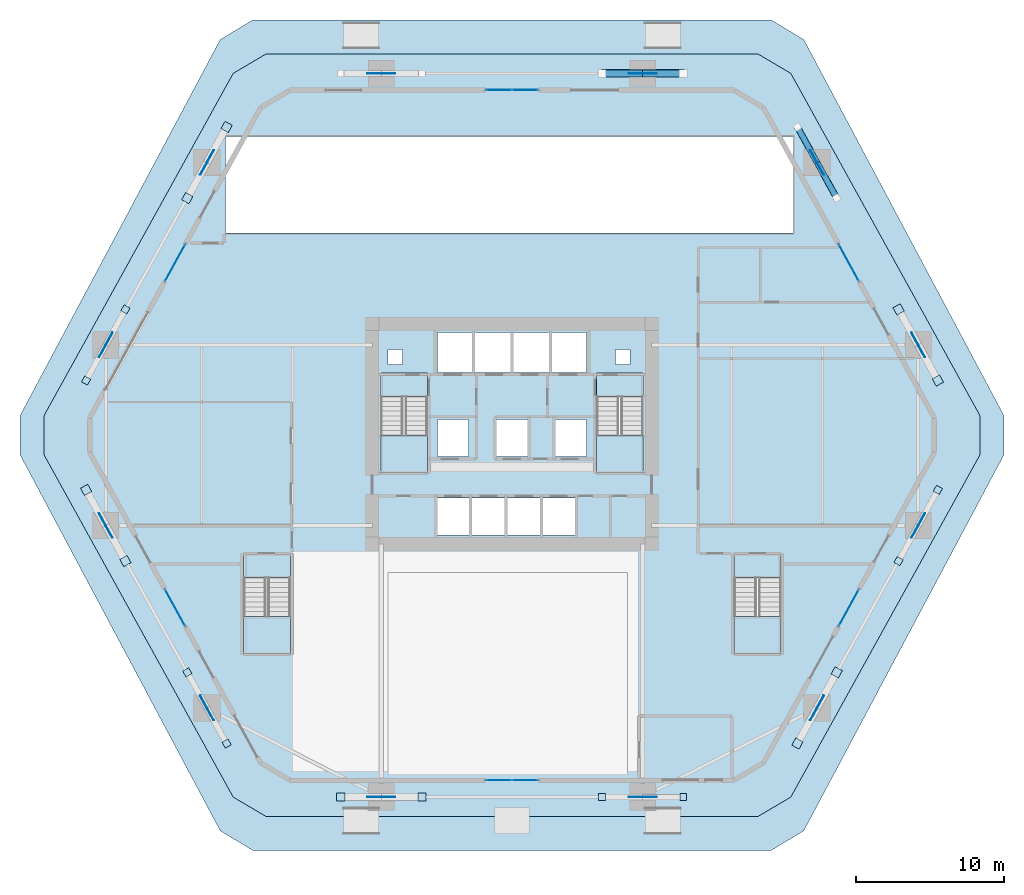
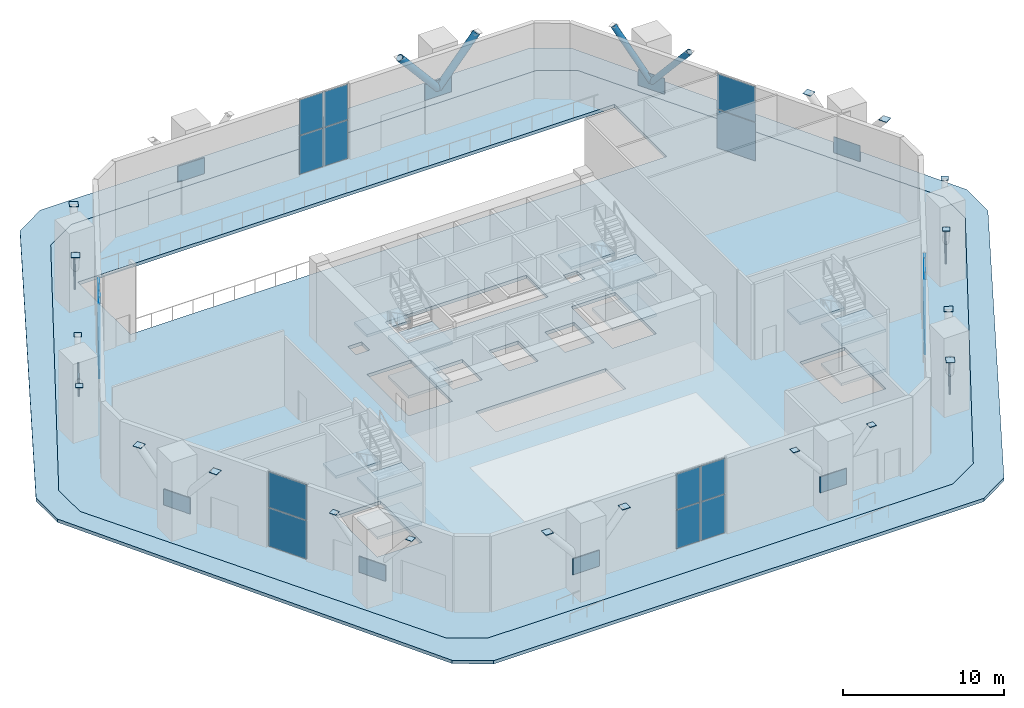
# One storey, part 14 of 22: 46 plates, 14 slabs, 4 members, 10 elements without a shape of their own.
"""IFC4 building model written with IfcOpenShell, lengths in metres."""

from ifc_helpers import new_model, si_unit, direction, frame, origin, origin_2d, place, context, subcontext, project, spatial, polyline, rectangle, hollow_circle, outline, extrude, material, layer, layer_set, material_profile, profile_set, type_object, element, aggregate, save


model = new_model("IFC4")

# Units and contexts
model_context = context("Model", 3, precision=1e-05, world=origin(), true_north=direction((0.0, 1.0)))
body_context = subcontext(model_context, "Body", "Model", "MODEL_VIEW")
ifc_project = project(units=[si_unit("LENGTHUNIT", "METRE"), si_unit("AREAUNIT", "SQUARE_METRE"), si_unit("VOLUMEUNIT", "CUBIC_METRE"), si_unit("PLANEANGLEUNIT", "RADIAN"), si_unit("MASSUNIT", "GRAM", prefix="KILO")], contexts=[model_context])

# Site, building, storey
site_placement = place(None, origin())
site = spatial("IfcSite", under=ifc_project, at=site_placement, CompositionType="ELEMENT")
building_placement = place(site_placement, origin())
building = spatial("IfcBuilding", under=site, at=building_placement, Name="Cinnabar Lancet Tower", CompositionType="ELEMENT")
storey_placement = place(building_placement, origin())
storey = spatial("IfcBuildingStorey", under=building, at=storey_placement, Name="L00", CompositionType="ELEMENT", Elevation=0.0)

# Members
ifc_material_1 = material(Name="Structural steel S460", Category="steel")
ifc_material_profile_1 = material_profile(ifc_material_1, hollow_circle(Radius=0.203125, WallThickness=0.02001953125, at=origin_2d()), Name="CHS 406.4x20")
ifc_profile_set_1 = profile_set([ifc_material_profile_1], Name="Structural steel S460")
member_type_1 = type_object("IfcMemberType", Name="STR-MEM-YPIL-406", PredefinedType="STRUT", material=ifc_profile_set_1)
for number, where, z_axis, x_axis, name in (
    (1, (53.04296875, 44.256103515625, 2.199951171875), (0.312418023343, -0.5653688128, 0.763382659093), (0.875256370508, 0.483659266308, 0.0), "Y-Pilotis Inclined Branch Strut 6A"),
    (2, (53.04296875, 44.256103515625, 2.199951171875), (-0.312418023343, 0.5653688128, 0.763382659093), (-0.875256370508, -0.483659266308, 0.0), "Y-Pilotis Inclined Branch Strut 6B"),
):
    element("IfcMember", number, at=place(storey_placement, frame(where, z_axis=z_axis, x_axis=x_axis)), inside=storey, type_object=member_type_1, Name=name, PredefinedType="STRUT", context=body_context, shape_type="SweptSolid", body=[
        extrude(hollow_circle(Radius=0.203125, WallThickness=0.02001953125, at=origin_2d()), origin(), (0.0, 0.0, 1.0), 4.25732421875),
    ])
ifc_material_2 = material(Name="Structural steel S460", Category="steel")
ifc_material_profile_2 = material_profile(ifc_material_2, hollow_circle(Radius=0.25390625, WallThickness=0.02490234375, at=origin_2d()), Name="CHS 508x25")
ifc_profile_set_2 = profile_set([ifc_material_profile_2], Name="Structural steel S460")
member_type_2 = type_object("IfcMemberType", Name="STR-MEM-YPIL-508", PredefinedType="STRUT", material=ifc_profile_set_2)
for number, where, z_axis, x_axis, name in (
    (3, (41.2451171875, 50.282958984375, 2.199951171875), (0.645942241466, 0.0, 0.763386285369), (0.0, 1.0, 0.0), "Y-Pilotis Inclined Branch Strut 7A"),
    (4, (41.2451171875, 50.282958984375, 2.199951171875), (-0.645942241466, 0.0, 0.763386285369), (0.0, -1.0, 0.0), "Y-Pilotis Inclined Branch Strut 7B"),
):
    element("IfcMember", number, at=place(storey_placement, frame(where, z_axis=z_axis, x_axis=x_axis)), inside=storey, type_object=member_type_2, Name=name, PredefinedType="STRUT", context=body_context, shape_type="SweptSolid", body=[
        extrude(hollow_circle(Radius=0.25390625, WallThickness=0.02490234375, at=origin_2d()), origin(), (0.0, 0.0, 1.0), 4.25732421875),
    ])

# Curtain wall, plates
ifc_material_3 = material(Name="Thermally broken bronze-anodized aluminium and low-E glass", Category="aluminium")
ifc_layer_1 = layer(ifc_material_3, 0.179931640625)
ifc_layer_set_1 = layer_set([ifc_layer_1], Name="Thermally broken bronze-anodized aluminium and low-E glass")
curtain_wall_type = type_object("IfcCurtainWallType", Name="ENV-CW-SYS-01", PredefinedType="NOTDEFINED", material=ifc_layer_set_1)
curtain_wall_1_placement = place(storey_placement, origin())
curtain_wall_1 = element("IfcCurtainWall", 5, at=curtain_wall_1_placement, inside=storey, type_object=curtain_wall_type, Name="L00 Face 1 Lobby Curtain Wall", PredefinedType="NOTDEFINED")
ifc_material_4 = material(Name="Double-silver low-E laminated insulated glass unit", Category="glass")
ifc_layer_2 = layer(ifc_material_4, 0.031982421875)
ifc_layer_set_2 = layer_set([ifc_layer_2], Name="Double-silver low-E laminated insulated glass unit")
plate_type_1 = type_object("IfcPlateType", Name="ENV-CW-PNL-32", PredefinedType="CURTAIN_PANEL", material=ifc_layer_set_2)
plate_1_placement = place(storey_placement, frame((33.28857421875, 2.449951171875, 0.06005859375), z_axis=(0.0, 0.0, 1.0), x_axis=(-1.0, 0.0, 0.0)))
plate_1 = element("IfcPlate", 6, at=plate_1_placement, type_object=plate_type_1, Name="CW-01 panel 1.1", PredefinedType="CURTAIN_PANEL", context=body_context, shape_type="SweptSolid", body=[
    extrude(rectangle(XDim=1.717041015625, YDim=0.028076171875, at=origin_2d()), origin(), (0.0, 0.0, 1.0), 2.89990234375),
])
plate_2_placement = place(storey_placement, frame((33.28857421875, 2.449951171875, 3.02001953125), z_axis=(0.0, 0.0, 1.0), x_axis=(-1.0, 0.0, 0.0)))
plate_2 = element("IfcPlate", 7, at=plate_2_placement, type_object=plate_type_1, Name="CW-01 panel 1.2", PredefinedType="CURTAIN_PANEL", context=body_context, shape_type="SweptSolid", body=[
    extrude(rectangle(XDim=1.717041015625, YDim=0.028076171875, at=origin_2d()), origin(), (0.0, 0.0, 1.0), 2.669921875),
])
plate_3_placement = place(storey_placement, frame((31.511474609375, 2.449951171875, 0.06005859375), z_axis=(0.0, 0.0, 1.0), x_axis=(-1.0, 0.0, 0.0)))
plate_3 = element("IfcPlate", 8, at=plate_3_placement, type_object=plate_type_1, Name="CW-01 panel 2.1", PredefinedType="CURTAIN_PANEL", context=body_context, shape_type="SweptSolid", body=[
    extrude(rectangle(XDim=1.717041015625, YDim=0.028076171875, at=origin_2d()), origin(), (0.0, 0.0, 1.0), 2.89990234375),
])
plate_4_placement = place(storey_placement, frame((31.511474609375, 2.449951171875, 3.02001953125), z_axis=(0.0, 0.0, 1.0), x_axis=(-1.0, 0.0, 0.0)))
plate_4 = element("IfcPlate", 9, at=plate_4_placement, type_object=plate_type_1, Name="CW-01 panel 2.2", PredefinedType="CURTAIN_PANEL", context=body_context, shape_type="SweptSolid", body=[
    extrude(rectangle(XDim=1.717041015625, YDim=0.028076171875, at=origin_2d()), origin(), (0.0, 0.0, 1.0), 2.669921875),
])
aggregate(curtain_wall_1, [plate_1, plate_2, plate_3, plate_4])

curtain_wall_2_placement = place(storey_placement, origin())
curtain_wall_2 = element("IfcCurtainWall", 10, at=curtain_wall_2_placement, inside=storey, type_object=curtain_wall_type, Name="L00 Face 2 Lobby Curtain Wall", PredefinedType="NOTDEFINED")
plate_5_placement = place(storey_placement, frame((55.195068359375, 14.125, 0.06005859375), z_axis=(0.0, 0.0, 1.0), x_axis=(-0.482344350326, -0.875981693706, 0.0)))
plate_5 = element("IfcPlate", 11, at=plate_5_placement, type_object=plate_type_1, Name="CW-01 panel 1.1", PredefinedType="CURTAIN_PANEL", context=body_context, shape_type="SweptSolid", body=[
    extrude(rectangle(XDim=2.765869140625, YDim=0.028076171875, at=origin_2d()), origin(), (0.0, 0.0, 1.0), 2.89990234375),
])
plate_6_placement = place(storey_placement, frame((55.195068359375, 14.125, 3.02001953125), z_axis=(0.0, 0.0, 1.0), x_axis=(-0.482344350326, -0.875981693706, 0.0)))
plate_6 = element("IfcPlate", 12, at=plate_6_placement, type_object=plate_type_1, Name="CW-01 panel 1.2", PredefinedType="CURTAIN_PANEL", context=body_context, shape_type="SweptSolid", body=[
    extrude(rectangle(XDim=2.765869140625, YDim=0.028076171875, at=origin_2d()), origin(), (0.0, 0.0, 1.0), 2.669921875),
])
aggregate(curtain_wall_2, [plate_5, plate_6])

curtain_wall_3_placement = place(storey_placement, origin())
curtain_wall_3 = element("IfcCurtainWall", 13, at=curtain_wall_3_placement, inside=storey, type_object=curtain_wall_type, Name="L00 Face 3 Lobby Curtain Wall", PredefinedType="NOTDEFINED")
plate_7_placement = place(storey_placement, frame((55.196044921875, 37.47509765625, 0.06005859375), z_axis=(0.0, 0.0, 1.0), x_axis=(0.482344350326, -0.875981693706, 0.0)))
plate_7 = element("IfcPlate", 14, at=plate_7_placement, type_object=plate_type_1, Name="CW-01 panel 1.1", PredefinedType="CURTAIN_PANEL", context=body_context, shape_type="SweptSolid", body=[
    extrude(rectangle(XDim=2.765869140625, YDim=0.028076171875, at=origin_2d()), origin(), (0.0, 0.0, 1.0), 2.89990234375),
])
plate_8_placement = place(storey_placement, frame((55.196044921875, 37.47509765625, 3.02001953125), z_axis=(0.0, 0.0, 1.0), x_axis=(0.482344350326, -0.875981693706, 0.0)))
plate_8 = element("IfcPlate", 15, at=plate_8_placement, type_object=plate_type_1, Name="CW-01 panel 1.2", PredefinedType="CURTAIN_PANEL", context=body_context, shape_type="SweptSolid", body=[
    extrude(rectangle(XDim=2.765869140625, YDim=0.028076171875, at=origin_2d()), origin(), (0.0, 0.0, 1.0), 2.669921875),
])
aggregate(curtain_wall_3, [plate_7, plate_8])

curtain_wall_4_placement = place(storey_placement, origin())
curtain_wall_4 = element("IfcCurtainWall", 16, at=curtain_wall_4_placement, inside=storey, type_object=curtain_wall_type, Name="L00 Face 4 Lobby Curtain Wall", PredefinedType="NOTDEFINED")
plate_9_placement = place(storey_placement, frame((31.511474609375, 49.14990234375, 0.06005859375), z_axis=(0.0, 0.0, 1.0), x_axis=(1.0, 0.0, 0.0)))
plate_9 = element("IfcPlate", 17, at=plate_9_placement, type_object=plate_type_1, Name="CW-01 panel 1.1", PredefinedType="CURTAIN_PANEL", context=body_context, shape_type="SweptSolid", body=[
    extrude(rectangle(XDim=1.717041015625, YDim=0.028076171875, at=origin_2d()), origin(), (0.0, 0.0, 1.0), 2.89990234375),
])
plate_10_placement = place(storey_placement, frame((31.511474609375, 49.14990234375, 3.02001953125), z_axis=(0.0, 0.0, 1.0), x_axis=(1.0, 0.0, 0.0)))
plate_10 = element("IfcPlate", 18, at=plate_10_placement, type_object=plate_type_1, Name="CW-01 panel 1.2", PredefinedType="CURTAIN_PANEL", context=body_context, shape_type="SweptSolid", body=[
    extrude(rectangle(XDim=1.717041015625, YDim=0.028076171875, at=origin_2d()), origin(), (0.0, 0.0, 1.0), 2.669921875),
])
plate_11_placement = place(storey_placement, frame((33.28857421875, 49.14990234375, 0.06005859375), z_axis=(0.0, 0.0, 1.0), x_axis=(1.0, 0.0, 0.0)))
plate_11 = element("IfcPlate", 19, at=plate_11_placement, type_object=plate_type_1, Name="CW-01 panel 2.1", PredefinedType="CURTAIN_PANEL", context=body_context, shape_type="SweptSolid", body=[
    extrude(rectangle(XDim=1.717041015625, YDim=0.028076171875, at=origin_2d()), origin(), (0.0, 0.0, 1.0), 2.89990234375),
])
plate_12_placement = place(storey_placement, frame((33.28857421875, 49.14990234375, 3.02001953125), z_axis=(0.0, 0.0, 1.0), x_axis=(1.0, 0.0, 0.0)))
plate_12 = element("IfcPlate", 20, at=plate_12_placement, type_object=plate_type_1, Name="CW-01 panel 2.2", PredefinedType="CURTAIN_PANEL", context=body_context, shape_type="SweptSolid", body=[
    extrude(rectangle(XDim=1.717041015625, YDim=0.028076171875, at=origin_2d()), origin(), (0.0, 0.0, 1.0), 2.669921875),
])
aggregate(curtain_wall_4, [plate_9, plate_10, plate_11, plate_12])

curtain_wall_5_placement = place(storey_placement, origin())
curtain_wall_5 = element("IfcCurtainWall", 21, at=curtain_wall_5_placement, inside=storey, type_object=curtain_wall_type, Name="L00 Face 5 Lobby Curtain Wall", PredefinedType="NOTDEFINED")
plate_13_placement = place(storey_placement, frame((9.60498046875, 37.47509765625, 0.06005859375), z_axis=(0.0, 0.0, 1.0), x_axis=(0.482344350326, 0.875981693706, 0.0)))
plate_13 = element("IfcPlate", 22, at=plate_13_placement, type_object=plate_type_1, Name="CW-01 panel 1.1", PredefinedType="CURTAIN_PANEL", context=body_context, shape_type="SweptSolid", body=[
    extrude(rectangle(XDim=2.765869140625, YDim=0.028076171875, at=origin_2d()), origin(), (0.0, 0.0, 1.0), 2.89990234375),
])
plate_14_placement = place(storey_placement, frame((9.60498046875, 37.47509765625, 3.02001953125), z_axis=(0.0, 0.0, 1.0), x_axis=(0.482344350326, 0.875981693706, 0.0)))
plate_14 = element("IfcPlate", 23, at=plate_14_placement, type_object=plate_type_1, Name="CW-01 panel 1.2", PredefinedType="CURTAIN_PANEL", context=body_context, shape_type="SweptSolid", body=[
    extrude(rectangle(XDim=2.765869140625, YDim=0.028076171875, at=origin_2d()), origin(), (0.0, 0.0, 1.0), 2.669921875),
])
aggregate(curtain_wall_5, [plate_13, plate_14])

curtain_wall_6_placement = place(storey_placement, origin())
curtain_wall_6 = element("IfcCurtainWall", 24, at=curtain_wall_6_placement, inside=storey, type_object=curtain_wall_type, Name="L00 Face 6 Lobby Curtain Wall", PredefinedType="NOTDEFINED")
plate_15_placement = place(storey_placement, frame((9.60400390625, 14.125, 0.06005859375), z_axis=(0.0, 0.0, 1.0), x_axis=(-0.482344350326, 0.875981693706, 0.0)))
plate_15 = element("IfcPlate", 25, at=plate_15_placement, type_object=plate_type_1, Name="CW-01 panel 1.1", PredefinedType="CURTAIN_PANEL", context=body_context, shape_type="SweptSolid", body=[
    extrude(rectangle(XDim=2.765869140625, YDim=0.028076171875, at=origin_2d()), origin(), (0.0, 0.0, 1.0), 2.89990234375),
])
plate_16_placement = place(storey_placement, frame((9.60400390625, 14.125, 3.02001953125), z_axis=(0.0, 0.0, 1.0), x_axis=(-0.482344350326, 0.875981693706, 0.0)))
plate_16 = element("IfcPlate", 26, at=plate_16_placement, type_object=plate_type_1, Name="CW-01 panel 1.2", PredefinedType="CURTAIN_PANEL", context=body_context, shape_type="SweptSolid", body=[
    extrude(rectangle(XDim=2.765869140625, YDim=0.028076171875, at=origin_2d()), origin(), (0.0, 0.0, 1.0), 2.669921875),
])
aggregate(curtain_wall_6, [plate_15, plate_16])

# Stair, slabs
ifc_material_5 = material(Name="Concrete C40/50", Category="concrete")
stair_type_1 = type_object("IfcStairType", Name="ST-CORE", PredefinedType="HALF_TURN_STAIR", material=ifc_material_5)
stair_1_placement = place(storey_placement, origin())
stair_1 = element("IfcStair", 27, at=stair_1_placement, inside=storey, type_object=stair_type_1, Name="L00 ST-1", PredefinedType="HALF_TURN_STAIR")
ifc_material_6 = material(Name="Concrete C40/50", Category="concrete")
ifc_layer_3 = layer(ifc_material_6, 0.199951171875)
ifc_layer_set_3 = layer_set([ifc_layer_3], Name="Concrete C40/50")
slab_type_1 = type_object("IfcSlabType", Name="LANDING-CORE", PredefinedType="LANDING", material=ifc_layer_set_3)
slab_1_placement = place(storey_placement, frame((0.0, 0.0, 1.300048828125)))
slab_1 = element("IfcSlab", 28, at=slab_1_placement, type_object=slab_type_1, Name="ST-1 landing 1", PredefinedType="LANDING", context=body_context, shape_type="SweptSolid", body=[
    extrude(outline(polyline([(23.52490234375, 25.800048828125), (23.52490234375, 23.25), (26.675048828125, 23.25), (26.675048828125, 25.800048828125), (23.52490234375, 25.800048828125)])), origin(), (0.0, 0.0, 1.0), 0.199951171875),
])
slab_2_placement = place(storey_placement, frame((0.0, 0.0, 2.800048828125)))
slab_2 = element("IfcSlab", 29, at=slab_2_placement, type_object=slab_type_1, Name="ST-1 landing 2", PredefinedType="LANDING", context=body_context, shape_type="SweptSolid", body=[
    extrude(outline(polyline([(23.52490234375, 30.0), (23.52490234375, 28.39990234375), (26.675048828125, 28.39990234375), (26.675048828125, 30.0), (23.52490234375, 30.0)])), origin(), (0.0, 0.0, 1.0), 0.199951171875),
])
slab_3_placement = place(storey_placement, frame((0.0, 0.0, 4.300048828125)))
slab_3 = element("IfcSlab", 30, at=slab_3_placement, type_object=slab_type_1, Name="ST-1 landing 3", PredefinedType="LANDING", context=body_context, shape_type="SweptSolid", body=[
    extrude(outline(polyline([(23.52490234375, 25.800048828125), (23.52490234375, 23.25), (26.675048828125, 23.25), (26.675048828125, 25.800048828125), (23.52490234375, 25.800048828125)])), origin(), (0.0, 0.0, 1.0), 0.199951171875),
])
aggregate(stair_1, [slab_1, slab_2, slab_3])

stair_2_placement = place(storey_placement, origin())
stair_2 = element("IfcStair", 31, at=stair_2_placement, inside=storey, type_object=stair_type_1, Name="L00 ST-2", PredefinedType="HALF_TURN_STAIR")
slab_4_placement = place(storey_placement, frame((0.0, 0.0, 1.300048828125)))
slab_4 = element("IfcSlab", 32, at=slab_4_placement, type_object=slab_type_1, Name="ST-2 landing 1", PredefinedType="LANDING", context=body_context, shape_type="SweptSolid", body=[
    extrude(outline(polyline([(38.125, 25.800048828125), (38.125, 23.25), (41.27490234375, 23.25), (41.27490234375, 25.800048828125), (38.125, 25.800048828125)])), origin(), (0.0, 0.0, 1.0), 0.199951171875),
])
slab_5_placement = place(storey_placement, frame((0.0, 0.0, 2.800048828125)))
slab_5 = element("IfcSlab", 33, at=slab_5_placement, type_object=slab_type_1, Name="ST-2 landing 2", PredefinedType="LANDING", context=body_context, shape_type="SweptSolid", body=[
    extrude(outline(polyline([(38.125, 30.0), (38.125, 28.39990234375), (41.27490234375, 28.39990234375), (41.27490234375, 30.0), (38.125, 30.0)])), origin(), (0.0, 0.0, 1.0), 0.199951171875),
])
slab_6_placement = place(storey_placement, frame((0.0, 0.0, 4.300048828125)))
slab_6 = element("IfcSlab", 34, at=slab_6_placement, type_object=slab_type_1, Name="ST-2 landing 3", PredefinedType="LANDING", context=body_context, shape_type="SweptSolid", body=[
    extrude(outline(polyline([(38.125, 25.800048828125), (38.125, 23.25), (41.27490234375, 23.25), (41.27490234375, 25.800048828125), (38.125, 25.800048828125)])), origin(), (0.0, 0.0, 1.0), 0.199951171875),
])
aggregate(stair_2, [slab_4, slab_5, slab_6])

ifc_material_7 = material(Name="Concrete C40/50", Category="concrete")
stair_type_2 = type_object("IfcStairType", Name="ST-POD", PredefinedType="HALF_TURN_STAIR", material=ifc_material_7)
stair_3_placement = place(storey_placement, origin())
stair_3 = element("IfcStair", 35, at=stair_3_placement, inside=storey, type_object=stair_type_2, Name="L00 ST-3", PredefinedType="HALF_TURN_STAIR")
ifc_material_8 = material(Name="Concrete C40/50", Category="concrete")
ifc_layer_4 = layer(ifc_material_8, 0.2099609375)
ifc_layer_set_4 = layer_set([ifc_layer_4], Name="Concrete C40/50")
slab_type_2 = type_object("IfcSlabType", Name="LANDING-POD", PredefinedType="LANDING", material=ifc_layer_set_4)
slab_7_placement = place(storey_placement, frame((0.0, 0.0, 1.300048828125)))
slab_7 = element("IfcSlab", 36, at=slab_7_placement, type_object=slab_type_2, Name="ST-3 landing 1", PredefinedType="LANDING", context=body_context, shape_type="SweptSolid", body=[
    extrude(outline(polyline([(14.22509765625, 13.53564453125), (14.22509765625, 11.0), (17.4150390625, 11.0), (17.4150390625, 13.53564453125), (14.22509765625, 13.53564453125)])), origin(), (0.0, 0.0, 1.0), 0.199951171875),
])
slab_8_placement = place(storey_placement, frame((0.0, 0.0, 2.800048828125)))
slab_8 = element("IfcSlab", 37, at=slab_8_placement, type_object=slab_type_2, Name="ST-3 landing 2", PredefinedType="LANDING", context=body_context, shape_type="SweptSolid", body=[
    extrude(outline(polyline([(14.22509765625, 17.75), (14.22509765625, 16.14990234375), (17.4150390625, 16.14990234375), (17.4150390625, 17.75), (14.22509765625, 17.75)])), origin(), (0.0, 0.0, 1.0), 0.199951171875),
])
slab_9_placement = place(storey_placement, frame((0.0, 0.0, 4.300048828125)))
slab_9 = element("IfcSlab", 38, at=slab_9_placement, type_object=slab_type_2, Name="ST-3 landing 3", PredefinedType="LANDING", context=body_context, shape_type="SweptSolid", body=[
    extrude(outline(polyline([(14.22509765625, 13.53564453125), (14.22509765625, 11.0), (17.4150390625, 11.0), (17.4150390625, 13.53564453125), (14.22509765625, 13.53564453125)])), origin(), (0.0, 0.0, 1.0), 0.199951171875),
])
aggregate(stair_3, [slab_7, slab_8, slab_9])

stair_4_placement = place(storey_placement, origin())
stair_4 = element("IfcStair", 39, at=stair_4_placement, inside=storey, type_object=stair_type_2, Name="L00 ST-4", PredefinedType="HALF_TURN_STAIR")
slab_10_placement = place(storey_placement, frame((0.0, 0.0, 1.300048828125)))
slab_10 = element("IfcSlab", 40, at=slab_10_placement, type_object=slab_type_2, Name="ST-4 landing 1", PredefinedType="LANDING", context=body_context, shape_type="SweptSolid", body=[
    extrude(outline(polyline([(47.425048828125, 13.53564453125), (47.425048828125, 11.0), (50.614990234375, 11.0), (50.614990234375, 13.53564453125), (47.425048828125, 13.53564453125)])), origin(), (0.0, 0.0, 1.0), 0.199951171875),
])
slab_11_placement = place(storey_placement, frame((0.0, 0.0, 2.800048828125)))
slab_11 = element("IfcSlab", 41, at=slab_11_placement, type_object=slab_type_2, Name="ST-4 landing 2", PredefinedType="LANDING", context=body_context, shape_type="SweptSolid", body=[
    extrude(outline(polyline([(47.425048828125, 17.75), (47.425048828125, 16.14990234375), (50.614990234375, 16.14990234375), (50.614990234375, 17.75), (47.425048828125, 17.75)])), origin(), (0.0, 0.0, 1.0), 0.199951171875),
])
slab_12_placement = place(storey_placement, frame((0.0, 0.0, 4.300048828125)))
slab_12 = element("IfcSlab", 42, at=slab_12_placement, type_object=slab_type_2, Name="ST-4 landing 3", PredefinedType="LANDING", context=body_context, shape_type="SweptSolid", body=[
    extrude(outline(polyline([(47.425048828125, 13.53564453125), (47.425048828125, 11.0), (50.614990234375, 11.0), (50.614990234375, 13.53564453125), (47.425048828125, 13.53564453125)])), origin(), (0.0, 0.0, 1.0), 0.199951171875),
])
aggregate(stair_4, [slab_10, slab_11, slab_12])

# Plates
ifc_material_9 = material(Name="Structural steel S460", Category="steel")
ifc_layer_5 = layer(ifc_material_9, 0.028076171875)
ifc_layer_set_5 = layer_set([ifc_layer_5], Name="Structural steel S460")
plate_type_2 = type_object("IfcPlateType", Name="STR-PL-CAP-28E", PredefinedType="SHEET", material=ifc_layer_set_5)
for number, where, z_axis, x_axis, name in (
    (43, (20.804931640625, 1.31689453125, 5.44482421875), (0.0, 0.0, 1.0), (-1.0, 0.0, 0.0), "Hollow section end cap plate CP-YPS-01A-1"),
    (44, (26.304931640625, 1.31689453125, 5.44482421875), (0.0, 0.0, 1.0), (1.0, 0.0, 0.0), "Hollow section end cap plate CP-YPS-01B-1"),
):
    element("IfcPlate", number, at=place(storey_placement, frame(where, z_axis=z_axis, x_axis=x_axis)), inside=storey, type_object=plate_type_2, Name=name, PredefinedType="SHEET", context=body_context, shape_type="SweptSolid", body=[
        extrude(rectangle(XDim=0.55810546875, YDim=0.55810546875, at=origin_2d()), origin(), (0.0, 0.0, 1.0), 0.030029296875),
    ])
for number, where, z_axis, x_axis, name in (
    (45, (38.4951171875, 1.31689453125, 5.44482421875), (0.0, 0.0, 1.0), (-1.0, 0.0, 0.0), "Hollow section end cap plate CP-YPS-02A-1"),
    (46, (43.9951171875, 1.31689453125, 5.44482421875), (0.0, 0.0, 1.0), (1.0, 0.0, 0.0), "Hollow section end cap plate CP-YPS-02B-1"),
):
    element("IfcPlate", number, at=place(storey_placement, frame(where, z_axis=z_axis, x_axis=x_axis)), inside=storey, type_object=plate_type_2, Name=name, PredefinedType="SHEET", context=body_context, shape_type="SweptSolid", body=[
        extrude(rectangle(XDim=0.4560546875, YDim=0.4560546875, at=origin_2d()), origin(), (0.0, 0.0, 1.0), 0.030029296875),
    ])
for number, where, z_axis, x_axis, name in (
    (47, (51.712890625, 4.93701171875, 5.44482421875), (0.0, 0.0, 1.0), (-0.483633778292, -0.875270454485, 0.0), "Hollow section end cap plate CP-YPS-03A-1"),
    (48, (54.373046875, 9.7509765625, 5.44482421875), (0.0, 0.0, 1.0), (0.483633778292, 0.875270454485, 0.0), "Hollow section end cap plate CP-YPS-03B-1"),
):
    element("IfcPlate", number, at=place(storey_placement, frame(where, z_axis=z_axis, x_axis=x_axis)), inside=storey, type_object=plate_type_2, Name=name, PredefinedType="SHEET", context=body_context, shape_type="SweptSolid", body=[
        extrude(rectangle(XDim=0.55810546875, YDim=0.55810546875, at=origin_2d()), origin(), (0.0, 0.0, 1.0), 0.030029296875),
    ])
for number, where, z_axis, x_axis, name in (
    (49, (58.56103515625, 17.284912109375, 5.44482421875), (0.0, 0.0, 1.0), (-0.483633778292, -0.875270454485, 0.0), "Hollow section end cap plate CP-YPS-04A-1"),
    (50, (61.220947265625, 22.09912109375, 5.44482421875), (0.0, 0.0, 1.0), (0.483633778292, 0.875270454485, 0.0), "Hollow section end cap plate CP-YPS-04B-1"),
):
    element("IfcPlate", number, at=place(storey_placement, frame(where, z_axis=z_axis, x_axis=x_axis)), inside=storey, type_object=plate_type_2, Name=name, PredefinedType="SHEET", context=body_context, shape_type="SweptSolid", body=[
        extrude(rectangle(XDim=0.4560546875, YDim=0.4560546875, at=origin_2d()), origin(), (0.0, 0.0, 1.0), 0.030029296875),
    ])
for number, where, z_axis, x_axis, name in (
    (51, (61.220947265625, 29.5009765625, 5.44482421875), (0.0, 0.0, 1.0), (0.483633778292, -0.875270454485, 0.0), "Hollow section end cap plate CP-YPS-05A-1"),
    (52, (58.56103515625, 34.31494140625, 5.44482421875), (0.0, 0.0, 1.0), (-0.483633778292, 0.875270454485, 0.0), "Hollow section end cap plate CP-YPS-05B-1"),
    (53, (13.0869140625, 46.6630859375, 5.44482421875), (0.0, 0.0, 1.0), (0.483633778292, 0.875270454485, 0.0), "Hollow section end cap plate CP-YPS-09A-1"),
    (54, (10.427001953125, 41.84912109375, 5.44482421875), (0.0, 0.0, 1.0), (-0.483633778292, -0.875270454485, 0.0), "Hollow section end cap plate CP-YPS-09B-1"),
):
    element("IfcPlate", number, at=place(storey_placement, frame(where, z_axis=z_axis, x_axis=x_axis)), inside=storey, type_object=plate_type_2, Name=name, PredefinedType="SHEET", context=body_context, shape_type="SweptSolid", body=[
        extrude(rectangle(XDim=0.55810546875, YDim=0.55810546875, at=origin_2d()), origin(), (0.0, 0.0, 1.0), 0.030029296875),
    ])
for number, where, z_axis, x_axis, name in (
    (55, (6.239013671875, 34.31494140625, 5.44482421875), (0.0, 0.0, 1.0), (0.483633778292, 0.875270454485, 0.0), "Hollow section end cap plate CP-YPS-10A-1"),
    (56, (3.5791015625, 29.5009765625, 5.44482421875), (0.0, 0.0, 1.0), (-0.483633778292, -0.875270454485, 0.0), "Hollow section end cap plate CP-YPS-10B-1"),
):
    element("IfcPlate", number, at=place(storey_placement, frame(where, z_axis=z_axis, x_axis=x_axis)), inside=storey, type_object=plate_type_2, Name=name, PredefinedType="SHEET", context=body_context, shape_type="SweptSolid", body=[
        extrude(rectangle(XDim=0.4560546875, YDim=0.4560546875, at=origin_2d()), origin(), (0.0, 0.0, 1.0), 0.030029296875),
    ])
for number, where, z_axis, x_axis, name in (
    (57, (3.5791015625, 22.09912109375, 5.44482421875), (0.0, 0.0, 1.0), (-0.483633778292, 0.875270454485, 0.0), "Hollow section end cap plate CP-YPS-11A-1"),
    (58, (6.239013671875, 17.284912109375, 5.44482421875), (0.0, 0.0, 1.0), (0.483633778292, -0.875270454485, 0.0), "Hollow section end cap plate CP-YPS-11B-1"),
):
    element("IfcPlate", number, at=place(storey_placement, frame(where, z_axis=z_axis, x_axis=x_axis)), inside=storey, type_object=plate_type_2, Name=name, PredefinedType="SHEET", context=body_context, shape_type="SweptSolid", body=[
        extrude(rectangle(XDim=0.55810546875, YDim=0.55810546875, at=origin_2d()), origin(), (0.0, 0.0, 1.0), 0.030029296875),
    ])
for number, where, z_axis, x_axis, name in (
    (59, (10.427001953125, 9.7509765625, 5.44482421875), (0.0, 0.0, 1.0), (-0.483633778292, 0.875270454485, 0.0), "Hollow section end cap plate CP-YPS-12A-1"),
    (60, (13.0869140625, 4.93701171875, 5.44482421875), (0.0, 0.0, 1.0), (0.483633778292, -0.875270454485, 0.0), "Hollow section end cap plate CP-YPS-12B-1"),
):
    element("IfcPlate", number, at=place(storey_placement, frame(where, z_axis=z_axis, x_axis=x_axis)), inside=storey, type_object=plate_type_2, Name=name, PredefinedType="SHEET", context=body_context, shape_type="SweptSolid", body=[
        extrude(rectangle(XDim=0.4560546875, YDim=0.4560546875, at=origin_2d()), origin(), (0.0, 0.0, 1.0), 0.030029296875),
    ])
ifc_material_10 = material(Name="Structural steel S460", Category="steel")
ifc_layer_6 = layer(ifc_material_10, 0.054931640625)
ifc_layer_set_6 = layer_set([ifc_layer_6], Name="Structural steel S460")
plate_type_3 = type_object("IfcPlateType", Name="STR-PL-GUS-55E", PredefinedType="USERDEFINED", material=ifc_layer_set_6)
for number, where, z_axis, x_axis, name in (
    (61, (23.554931640625, 1.31689453125, 1.60009765625), (0.0, 0.0, 1.0), (1.0, 0.0, 0.0), "Y-Pilotis Bifurcation Gusset Node 1"),
    (62, (41.2451171875, 1.31689453125, 1.60009765625), (0.0, 0.0, 1.0), (1.0, 0.0, 0.0), "Y-Pilotis Bifurcation Gusset Node 2"),
    (63, (53.04296875, 7.343994140625, 1.60009765625), (0.0, 0.0, 1.0), (0.4836643307, 0.875253571949, 0.0), "Y-Pilotis Bifurcation Gusset Node 3"),
    (64, (59.89111328125, 19.69189453125, 1.60009765625), (0.0, 0.0, 1.0), (0.4836643307, 0.875253571949, 0.0), "Y-Pilotis Bifurcation Gusset Node 4"),
    (65, (59.89111328125, 31.907958984375, 1.60009765625), (0.0, 0.0, 1.0), (-0.4836643307, 0.875253571949, 0.0), "Y-Pilotis Bifurcation Gusset Node 5"),
    (66, (53.04296875, 44.256103515625, 1.60009765625), (0.0, 0.0, 1.0), (-0.4836643307, 0.875253571949, 0.0), "Y-Pilotis Bifurcation Gusset Node 6"),
    (67, (41.2451171875, 50.282958984375, 1.60009765625), (0.0, 0.0, 1.0), (-1.0, 0.0, 0.0), "Y-Pilotis Bifurcation Gusset Node 7"),
    (68, (23.554931640625, 50.282958984375, 1.60009765625), (0.0, 0.0, 1.0), (-1.0, 0.0, 0.0), "Y-Pilotis Bifurcation Gusset Node 8"),
    (69, (11.757080078125, 44.256103515625, 1.60009765625), (0.0, 0.0, 1.0), (-0.4836643307, -0.875253571949, 0.0), "Y-Pilotis Bifurcation Gusset Node 9"),
    (70, (4.908935546875, 31.907958984375, 3.39990234375), (0.0, 0.0, 1.0), (-0.4836643307, -0.875253571949, 0.0), "Y-Pilotis Bifurcation Gusset Node 10"),
    (71, (4.908935546875, 19.69189453125, 1.60009765625), (0.0, 0.0, 1.0), (0.4836643307, -0.875253571949, 0.0), "Y-Pilotis Bifurcation Gusset Node 11"),
    (72, (11.757080078125, 7.343994140625, 1.60009765625), (0.0, 0.0, 1.0), (0.4836643307, -0.875253571949, 0.0), "Y-Pilotis Bifurcation Gusset Node 12"),
):
    element("IfcPlate", number, at=place(storey_placement, frame(where, z_axis=z_axis, x_axis=x_axis)), inside=storey, type_object=plate_type_3, Name=name, ObjectType="GUSSET PLATE", PredefinedType="USERDEFINED", context=body_context, shape_type="SweptSolid", body=[
        extrude(rectangle(XDim=1.89990234375, YDim=0.054931640625, at=origin_2d()), origin(), (0.0, 0.0, 1.0), 1.199951171875),
    ])

# Slabs
ifc_material_11 = material(Name="Concrete C45/55", Category="concrete")
ifc_layer_7 = layer(ifc_material_11, 0.25)
ifc_layer_set_7 = layer_set([ifc_layer_7], Name="Concrete C45/55")
slab_type_3 = type_object("IfcSlabType", Name="STR-SLB-APR-250", PredefinedType="FLOOR", material=ifc_layer_set_7)
slab_13_placement = place(storey_placement, frame((0.0, 0.0, -0.25)))
element("IfcSlab", 73, at=slab_13_placement, inside=storey, type_object=slab_type_3, Name="L00 Perimeter Civic Plaza, Fire Accessway and Driveway Apron Paving", PredefinedType="FLOOR", context=body_context, shape_type="SweptSolid", body=[
    extrude(outline(polyline([(12.655029296875, -0.97607421875), (14.860107421875, -2.300048828125), (49.93994140625, -2.300048828125), (52.14501953125, -0.97607421875), (65.695068359375, 24.47607421875), (65.695068359375, 27.1240234375), (52.14501953125, 52.575927734375), (49.93994140625, 53.89990234375), (14.860107421875, 53.89990234375), (12.655029296875, 52.575927734375), (-0.89501953125, 27.1240234375), (-0.89501953125, 24.47607421875), (12.655029296875, -0.97607421875)]), holes=[polyline([(13.531005859375, 1.31298828125), (15.756103515625, 0.0), (49.0439453125, 0.0), (51.26904296875, 1.31298828125), (64.074951171875, 24.487060546875), (64.074951171875, 27.113037109375), (51.26904296875, 50.287109375), (49.0439453125, 51.60009765625), (15.756103515625, 51.60009765625), (13.531005859375, 50.287109375), (0.72509765625, 27.113037109375), (0.72509765625, 24.487060546875), (13.531005859375, 1.31298828125)])]), origin(), (0.0, 0.0, 1.0), 0.25),
])
ifc_material_12 = material(Name="Concrete C40/50", Category="concrete")
ifc_layer_8 = layer(ifc_material_12, 0.25)
ifc_layer_set_8 = layer_set([ifc_layer_8], Name="Concrete C40/50")
slab_type_4 = type_object("IfcSlabType", Name="STR-SLB-FLR-250", PredefinedType="FLOOR", material=ifc_layer_set_8)
slab_14_placement = place(storey_placement, frame((0.0, 0.0, -0.25)))
element("IfcSlab", 74, at=slab_14_placement, inside=storey, type_object=slab_type_4, Name="L00 Structural Floor Slab", PredefinedType="FLOOR", context=body_context, shape_type="SweptSolid", body=[
    extrude(outline(polyline([(13.531005859375, 1.31298828125), (15.756103515625, 0.0), (49.0439453125, 0.0), (51.26904296875, 1.31298828125), (64.074951171875, 24.487060546875), (64.074951171875, 27.113037109375), (51.26904296875, 50.287109375), (49.0439453125, 51.60009765625), (15.756103515625, 51.60009765625), (13.531005859375, 50.287109375), (0.72509765625, 27.113037109375), (0.72509765625, 24.487060546875), (13.531005859375, 1.31298828125)]), holes=[polyline([(23.52490234375, 23.25), (26.675048828125, 23.25), (26.675048828125, 28.3994140625), (23.52490234375, 28.3994140625), (23.52490234375, 23.25)]), polyline([(38.125, 23.25), (41.27490234375, 23.25), (41.27490234375, 28.3994140625), (38.125, 28.3994140625), (38.125, 23.25)]), polyline([(14.22509765625, 11.0), (17.4150390625, 11.0), (17.4150390625, 16.1494140625), (14.22509765625, 16.1494140625), (14.22509765625, 11.0)]), polyline([(47.425048828125, 11.0), (50.614990234375, 11.0), (50.614990234375, 16.1494140625), (47.425048828125, 16.1494140625), (47.425048828125, 11.0)]), polyline([(13.00048828125, 39.5), (51.39990234375, 39.5), (51.39990234375, 46.0), (13.00048828125, 46.0), (13.00048828125, 39.5)]), polyline([(27.35009765625, 30.050048828125), (37.449951171875, 30.050048828125), (37.449951171875, 32.75), (27.35009765625, 32.75), (27.35009765625, 30.050048828125)]), polyline([(27.35009765625, 19.050048828125), (36.64990234375, 19.050048828125), (36.64990234375, 21.550048828125), (27.35009765625, 21.550048828125), (27.35009765625, 19.050048828125)]), polyline([(27.35009765625, 24.35009765625), (29.449951171875, 24.35009765625), (29.449951171875, 26.85009765625), (27.35009765625, 26.85009765625), (27.35009765625, 24.35009765625)]), polyline([(35.35009765625, 24.35009765625), (37.449951171875, 24.35009765625), (37.449951171875, 26.85009765625), (35.35009765625, 26.85009765625), (35.35009765625, 24.35009765625)]), polyline([(31.35009765625, 24.35009765625), (33.449951171875, 24.35009765625), (33.449951171875, 26.85009765625), (31.35009765625, 26.85009765625), (31.35009765625, 24.35009765625)]), polyline([(24.0, 30.60009765625), (25.0, 30.60009765625), (25.0, 31.60009765625), (24.0, 31.60009765625), (24.0, 30.60009765625)]), polyline([(39.39990234375, 30.60009765625), (40.39990234375, 30.60009765625), (40.39990234375, 31.60009765625), (39.39990234375, 31.60009765625), (39.39990234375, 30.60009765625)])]), origin(), (0.0, 0.0, 1.0), 0.25),
])

save(model, "model.ifc")
